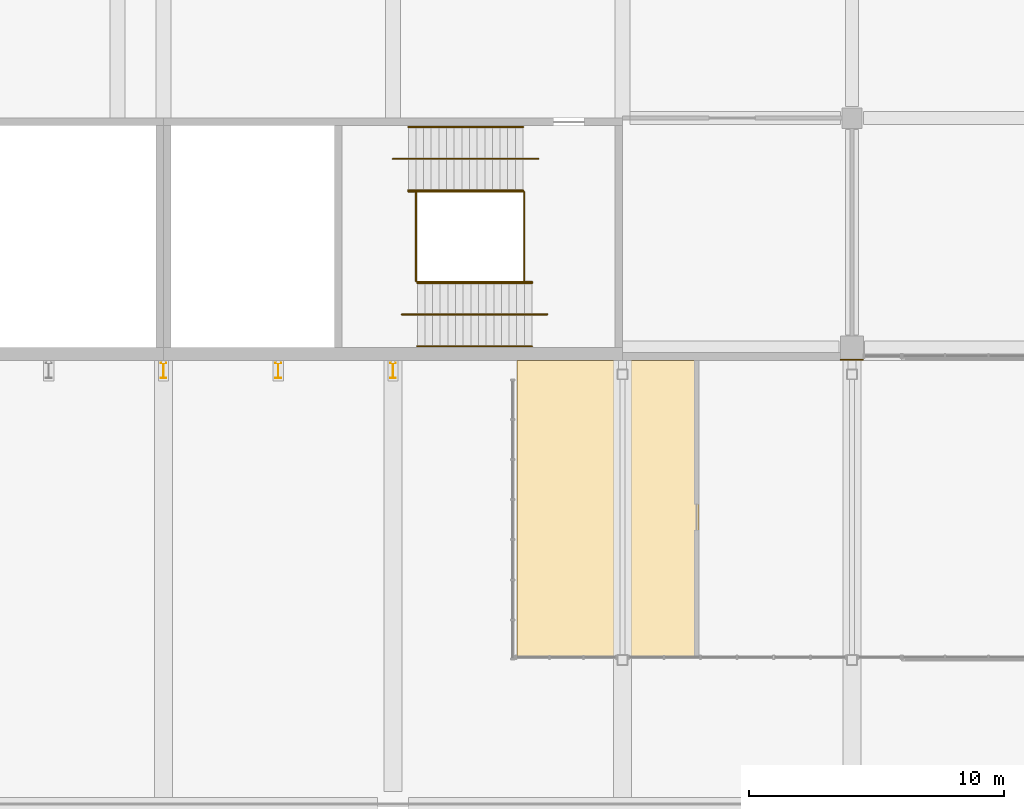
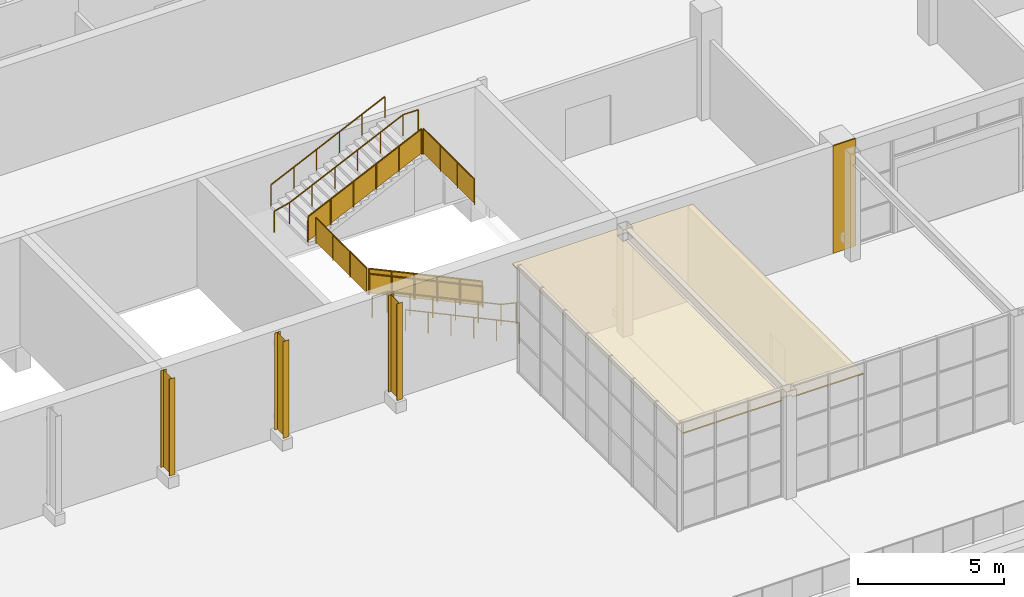
# One storey, part 143 of 168: 10 railings, 3 shading devices, 2 coverings.
"""IFC4 building model written with IfcOpenShell, lengths in metres."""

from ifc_helpers import new_model, si_unit, direction, frame, origin, origin_2d, place, context, subcontext, project, spatial, polyline, circle, i_section, outline, extrude, material, layer, layer_set, material_profile, profile_set, type_object, element, save


model = new_model("IFC4")

# Units and contexts
model_context = context("Model", 3, precision=1e-05, world=origin(), true_north=direction((0.0, 1.0)))
body_context = subcontext(model_context, "Body", "Model", "MODEL_VIEW")
ifc_project = project(units=[si_unit("LENGTHUNIT", "METRE"), si_unit("AREAUNIT", "SQUARE_METRE"), si_unit("VOLUMEUNIT", "CUBIC_METRE"), si_unit("PLANEANGLEUNIT", "RADIAN"), si_unit("MASSUNIT", "GRAM", prefix="KILO")], contexts=[model_context])

# Site, building, storey
site_placement = place(None, origin())
site = spatial("IfcSite", under=ifc_project, at=site_placement, CompositionType="ELEMENT")
building_placement = place(site_placement, origin())
building = spatial("IfcBuilding", under=site, at=building_placement, Name="Silverbay Arena", CompositionType="ELEMENT")
storey_placement = place(building_placement, frame((0.0, 0.0, 7.0)))
storey = spatial("IfcBuildingStorey", under=building, at=storey_placement, Name="L01", CompositionType="ELEMENT", Elevation=7.0)

# Coverings
ifc_material_1 = material(Name="Aluminium composite cladding", Category="aluminium")
ifc_layer_1 = layer(ifc_material_1, 0.050048828125)
ifc_layer_set_1 = layer_set([ifc_layer_1], Name="Aluminium composite cladding")
covering_type_1 = type_object("IfcCoveringType", Name="Column cladding 50", PredefinedType="CLADDING", material=ifc_layer_set_1)
covering_1_placement = place(storey_placement, origin())
element("IfcCovering", 1, at=covering_1_placement, inside=storey, type_object=covering_type_1, Name="South column cladding L01 1", PredefinedType="CLADDING", context=body_context, shape_type="SweptSolid", body=[
    extrude(outline(polyline([(125.550048828125, 17.5), (126.449951171875, 17.5), (126.449951171875, 17.550048828125), (125.550048828125, 17.550048828125), (125.550048828125, 17.5)])), origin(), (0.0, 0.0, 1.0), 4.5),
])
ifc_material_2 = material(Name="Fire-resisting board ceiling")
ifc_layer_2 = layer(ifc_material_2, 0.050048828125)
ifc_layer_set_2 = layer_set([ifc_layer_2], Name="Fire-resisting board ceiling")
covering_type_2 = type_object("IfcCoveringType", Name="Fire-resisting ceiling EI 120", PredefinedType="CEILING", material=ifc_layer_set_2)
covering_2_placement = place(storey_placement, frame((0.0, 0.0, 3.98291015625)))
element("IfcCovering", 2, at=covering_2_placement, inside=storey, type_object=covering_type_2, Name="Staff room ceiling", PredefinedType="CEILING", context=body_context, shape_type="SweptSolid", body=[
    extrude(outline(polyline([(116.800048828125, 5.81005859375), (116.800048828125, 5.949951171875), (117.199951171875, 5.949951171875), (117.199951171875, 5.81005859375), (120.0, 5.81005859375), (120.0, 17.5), (112.860107421875, 17.5), (112.860107421875, 5.81005859375), (116.800048828125, 5.81005859375)]), holes=[polyline([(117.199951171875, 17.14990234375), (117.199951171875, 16.75), (116.800048828125, 16.75), (116.800048828125, 17.14990234375), (117.199951171875, 17.14990234375)])]), origin(), (0.0, 0.0, 1.0), 0.050048828125),
])

# Railings
ifc_material_3 = material(Name="Stainless steel", Category="steel")
railing_type_1 = type_object("IfcRailingType", Name="Stair guard 1100", PredefinedType="GUARDRAIL", material=ifc_material_3)
railing_1_placement = place(storey_placement, frame((113.453369140625, 20.574951171875, 0.140625)))
element("IfcRailing", 3, at=railing_1_placement, inside=storey, type_object=railing_type_1, Name="Stair ST-S2 L01 to L02 flight 1 guard left", PredefinedType="GUARDRAIL", context=body_context, shape_type="SweptSolid", body=[
    extrude(circle(Radius=0.02392578125, at=origin_2d()), frame((0.0, 0.0, 1.076171875), z_axis=(-0.905458935959, 0.0, 0.424433876231), x_axis=(0.0, -1.0, 0.0)), (0.0, 0.0, 1.0), 4.969970703125),
    extrude(outline(polyline([(-0.008056640625, 0.046142578125), (0.907958984375, 0.4755859375), (0.907958984375, 1.478515625), (-0.008056640625, 1.04931640625), (-0.008056640625, 0.046142578125)])), frame((0.0, -0.0029296875, 0.0), z_axis=(0.0, 1.0, 0.0), x_axis=(-1.0, 0.0, 0.0)), (0.0, 0.0, 1.0), 0.006103515625),
    extrude(outline(polyline([(-0.008056640625, 0.468017578125), (0.907958984375, 0.8974609375), (0.907958984375, 1.900390625), (-0.008056640625, 1.47119140625), (-0.008056640625, 0.468017578125)])), frame((-0.89990234375, -0.0029296875, 0.0), z_axis=(0.0, 1.0, 0.0), x_axis=(-1.0, 0.0, 0.0)), (0.0, 0.0, 1.0), 0.006103515625),
    extrude(outline(polyline([(-0.008056640625, 0.889892578125), (0.907958984375, 1.3193359375), (0.907958984375, 2.322265625), (-0.008056640625, 1.89306640625), (-0.008056640625, 0.889892578125)])), frame((-1.800048828125, -0.0029296875, 0.0), z_axis=(0.0, 1.0, 0.0), x_axis=(-1.0, 0.0, 0.0)), (0.0, 0.0, 1.0), 0.006103515625),
    extrude(outline(polyline([(-0.008056640625, 1.311767578125), (0.907958984375, 1.7412109375), (0.907958984375, 2.744140625), (-0.008056640625, 2.31494140625), (-0.008056640625, 1.311767578125)])), frame((-2.699951171875, -0.0029296875, 0.0), z_axis=(0.0, 1.0, 0.0), x_axis=(-1.0, 0.0, 0.0)), (0.0, 0.0, 1.0), 0.006103515625),
    extrude(outline(polyline([(-0.008056640625, 1.733642578125), (0.907958984375, 2.1630859375), (0.907958984375, 3.166015625), (-0.008056640625, 2.73681640625), (-0.008056640625, 1.733642578125)])), frame((-3.60009765625, -0.0029296875, 0.0), z_axis=(0.0, 1.0, 0.0), x_axis=(-1.0, 0.0, 0.0)), (0.0, 0.0, 1.0), 0.006103515625),
    extrude(circle(Radius=0.02099609375, at=origin_2d()), origin(), (0.0, 0.0, 1.0), 1.052001953125),
    extrude(circle(Radius=0.02099609375, at=origin_2d()), frame((-0.89990234375, 0.0, 0.421875)), (0.0, 0.0, 1.0), 1.052001953125),
    extrude(circle(Radius=0.02099609375, at=origin_2d()), frame((-1.800048828125, 0.0, 0.84375)), (0.0, 0.0, 1.0), 1.052001953125),
    extrude(circle(Radius=0.02099609375, at=origin_2d()), frame((-2.699951171875, 0.0, 1.265625)), (0.0, 0.0, 1.0), 1.052001953125),
    extrude(circle(Radius=0.02099609375, at=origin_2d()), frame((-3.60009765625, 0.0, 1.6875)), (0.0, 0.0, 1.0), 1.052001953125),
    extrude(circle(Radius=0.02099609375, at=origin_2d()), frame((-4.5, 0.0, 2.109375)), (0.0, 0.0, 1.0), 1.052001953125),
])
railing_2_placement = place(storey_placement, frame((108.60009765625, 24.125, 2.390625)))
element("IfcRailing", 4, at=railing_2_placement, inside=storey, type_object=railing_type_1, Name="Stair ST-S2 L01 to L02 flight 2 guard right", PredefinedType="GUARDRAIL", context=body_context, shape_type="SweptSolid", body=[
    extrude(circle(Radius=0.02392578125, at=origin_2d()), frame((0.0, 0.0, 1.076171875), z_axis=(0.905458935959, 0.0, 0.424433876231), x_axis=(0.0, 1.0, 0.0)), (0.0, 0.0, 1.0), 4.969970703125),
    extrude(outline(polyline([(-0.008056640625, 0.046142578125), (0.907958984375, 0.4755859375), (0.907958984375, 1.478515625), (-0.008056640625, 1.04931640625), (-0.008056640625, 0.046142578125)])), frame((0.0, 0.0029296875, 0.0), z_axis=(0.0, -1.0, 0.0), x_axis=(1.0, 0.0, 0.0)), (0.0, 0.0, 1.0), 0.006103515625),
    extrude(outline(polyline([(-0.008056640625, 0.468017578125), (0.907958984375, 0.8974609375), (0.907958984375, 1.900390625), (-0.008056640625, 1.47119140625), (-0.008056640625, 0.468017578125)])), frame((0.89990234375, 0.0029296875, 0.0), z_axis=(0.0, -1.0, 0.0), x_axis=(1.0, 0.0, 0.0)), (0.0, 0.0, 1.0), 0.006103515625),
    extrude(outline(polyline([(-0.008056640625, 0.889892578125), (0.907958984375, 1.3193359375), (0.907958984375, 2.322265625), (-0.008056640625, 1.89306640625), (-0.008056640625, 0.889892578125)])), frame((1.800048828125, 0.0029296875, 0.0), z_axis=(0.0, -1.0, 0.0), x_axis=(1.0, 0.0, 0.0)), (0.0, 0.0, 1.0), 0.006103515625),
    extrude(outline(polyline([(-0.008056640625, 1.311767578125), (0.907958984375, 1.7412109375), (0.907958984375, 2.744140625), (-0.008056640625, 2.31494140625), (-0.008056640625, 1.311767578125)])), frame((2.699951171875, 0.0029296875, 0.0), z_axis=(0.0, -1.0, 0.0), x_axis=(1.0, 0.0, 0.0)), (0.0, 0.0, 1.0), 0.006103515625),
    extrude(outline(polyline([(-0.008056640625, 1.733642578125), (0.907958984375, 2.1630859375), (0.907958984375, 3.166015625), (-0.008056640625, 2.73681640625), (-0.008056640625, 1.733642578125)])), frame((3.60009765625, 0.0029296875, 0.0), z_axis=(0.0, -1.0, 0.0), x_axis=(1.0, 0.0, 0.0)), (0.0, 0.0, 1.0), 0.006103515625),
    extrude(circle(Radius=0.02099609375, at=origin_2d()), origin(), (0.0, 0.0, 1.0), 1.052001953125),
    extrude(circle(Radius=0.02099609375, at=origin_2d()), frame((0.89990234375, 0.0, 0.421875)), (0.0, 0.0, 1.0), 1.052001953125),
    extrude(circle(Radius=0.02099609375, at=origin_2d()), frame((1.800048828125, 0.0, 0.84375)), (0.0, 0.0, 1.0), 1.052001953125),
    extrude(circle(Radius=0.02099609375, at=origin_2d()), frame((2.699951171875, 0.0, 1.265625)), (0.0, 0.0, 1.0), 1.052001953125),
    extrude(circle(Radius=0.02099609375, at=origin_2d()), frame((3.60009765625, 0.0, 1.6875)), (0.0, 0.0, 1.0), 1.052001953125),
    extrude(circle(Radius=0.02099609375, at=origin_2d()), frame((4.5, 0.0, 2.109375)), (0.0, 0.0, 1.0), 1.052001953125),
])
for number, where, name in (
    (5, (108.9033203125, 24.10009765625, 2.25), "Stair ST-S2 L01 to L02 landing 1 guard"),
    (6, (113.14990234375, 24.10009765625, 4.5), "Stair ST-S2 L01 to L02 landing 2 guard"),
):
    element("IfcRailing", number, at=place(storey_placement, frame(where)), inside=storey, type_object=railing_type_1, Name=name, PredefinedType="GUARDRAIL", context=body_context, shape_type="SweptSolid", body=[
        extrude(circle(Radius=0.02392578125, at=origin_2d()), frame((0.0, 0.0, 1.076171875), z_axis=(0.0, -1.0, 0.0), x_axis=(1.0, 0.0, 0.0)), (0.0, 0.0, 1.0), 3.5),
        extrude(outline(polyline([(-0.008056640625, 0.050048828125), (1.174560546875, 0.050048828125), (1.174560546875, 1.052978515625), (-0.008056640625, 1.052978515625), (-0.008056640625, 0.050048828125)])), frame((0.0029296875, 0.0, 0.0), z_axis=(-1.0, 0.0, 0.0), x_axis=(0.0, -1.0, 0.0)), (0.0, 0.0, 1.0), 0.006103515625),
        extrude(outline(polyline([(-0.008056640625, 0.050048828125), (1.174560546875, 0.050048828125), (1.174560546875, 1.052978515625), (-0.008056640625, 1.052978515625), (-0.008056640625, 0.050048828125)])), frame((0.0029296875, -1.166748046875, 0.0), z_axis=(-1.0, 0.0, 0.0), x_axis=(0.0, -1.0, 0.0)), (0.0, 0.0, 1.0), 0.006103515625),
        extrude(outline(polyline([(-0.008056640625, 0.050048828125), (1.174560546875, 0.050048828125), (1.174560546875, 1.052978515625), (-0.008056640625, 1.052978515625), (-0.008056640625, 0.050048828125)])), frame((0.0029296875, -2.333251953125, 0.0), z_axis=(-1.0, 0.0, 0.0), x_axis=(0.0, -1.0, 0.0)), (0.0, 0.0, 1.0), 0.006103515625),
        extrude(circle(Radius=0.02099609375, at=origin_2d()), origin(), (0.0, 0.0, 1.0), 1.052001953125),
        extrude(circle(Radius=0.02099609375, at=origin_2d()), frame((0.0, -1.166748046875, 0.0)), (0.0, 0.0, 1.0), 1.052001953125),
        extrude(circle(Radius=0.02099609375, at=origin_2d()), frame((0.0, -2.333251953125, 0.0)), (0.0, 0.0, 1.0), 1.052001953125),
        extrude(circle(Radius=0.02099609375, at=origin_2d()), frame((0.0, -3.5, 0.0)), (0.0, 0.0, 1.0), 1.052001953125),
    ])
ifc_material_4 = material(Name="Stainless steel", Category="steel")
railing_type_2 = type_object("IfcRailingType", Name="Stair handrail 900", PredefinedType="HANDRAIL", material=ifc_material_4)
for number, where, name in (
    (7, (113.453369140625, 20.535888671875, 0.140625), "Stair ST-S2 L01 to L02 flight 1 handrail left"),
    (8, (113.453369140625, 18.050048828125, 0.140625), "Stair ST-S2 L01 to L02 flight 1 handrail right"),
):
    element("IfcRailing", number, at=place(storey_placement, frame(where)), inside=storey, type_object=railing_type_2, Name=name, PredefinedType="HANDRAIL", context=body_context, shape_type="SweptSolid", body=[
        extrude(circle(Radius=0.02392578125, at=origin_2d()), frame((0.0, 0.0, 0.8759765625), z_axis=(-0.905458935959, 0.0, 0.424433876231), x_axis=(0.0, -1.0, 0.0)), (0.0, 0.0, 1.0), 4.969970703125),
        extrude(circle(Radius=0.02099609375, at=origin_2d()), origin(), (0.0, 0.0, 1.0), 0.851806640625),
        extrude(circle(Radius=0.02099609375, at=origin_2d()), frame((-0.89990234375, 0.0, 0.421875)), (0.0, 0.0, 1.0), 0.851806640625),
        extrude(circle(Radius=0.02099609375, at=origin_2d()), frame((-1.800048828125, 0.0, 0.84375)), (0.0, 0.0, 1.0), 0.851806640625),
        extrude(circle(Radius=0.02099609375, at=origin_2d()), frame((-2.699951171875, 0.0, 1.265625)), (0.0, 0.0, 1.0), 0.851806640625),
        extrude(circle(Radius=0.02099609375, at=origin_2d()), frame((-3.60009765625, 0.0, 1.6875)), (0.0, 0.0, 1.0), 0.851806640625),
        extrude(circle(Radius=0.02099609375, at=origin_2d()), frame((-4.5, 0.0, 2.109375)), (0.0, 0.0, 1.0), 0.851806640625),
    ])
railing_3_placement = place(storey_placement, frame((114.053466796875, 19.300048828125, 0.0)))
element("IfcRailing", 9, at=railing_3_placement, inside=storey, type_object=railing_type_2, Name="Stair ST-S2 L01 to L02 flight 1 central handrail", PredefinedType="HANDRAIL", context=body_context, shape_type="SweptSolid", body=[
    extrude(circle(Radius=0.02392578125, at=origin_2d()), frame((0.0, 0.0, 0.8759765625), z_axis=(-0.973624560196, 0.0, 0.228156121511), x_axis=(0.0, -1.0, 0.0)), (0.0, 0.0, 1.0), 0.616455078125),
    extrude(circle(Radius=0.02392578125, at=origin_2d()), frame((-0.60009765625, 0.0, 1.0166015625), z_axis=(-0.905458935959, 0.0, 0.424433876231), x_axis=(0.0, -1.0, 0.0)), (0.0, 0.0, 1.0), 4.969970703125),
    extrude(circle(Radius=0.02392578125, at=origin_2d()), frame((-5.10009765625, 0.0, 3.1259765625), z_axis=(-1.0, 0.0, 0.0), x_axis=(0.0, -1.0, 0.0)), (0.0, 0.0, 1.0), 0.599853515625),
    extrude(circle(Radius=0.02099609375, at=origin_2d()), origin(), (0.0, 0.0, 1.0), 0.851806640625),
    extrude(circle(Radius=0.02099609375, at=origin_2d()), frame((-0.60009765625, 0.0, 0.140625)), (0.0, 0.0, 1.0), 0.851806640625),
    extrude(circle(Radius=0.02099609375, at=origin_2d()), frame((-1.5, 0.0, 0.5625)), (0.0, 0.0, 1.0), 0.851806640625),
    extrude(circle(Radius=0.02099609375, at=origin_2d()), frame((-2.400146484375, 0.0, 0.984375)), (0.0, 0.0, 1.0), 0.851806640625),
    extrude(circle(Radius=0.02099609375, at=origin_2d()), frame((-3.300048828125, 0.0, 1.40625)), (0.0, 0.0, 1.0), 0.851806640625),
    extrude(circle(Radius=0.02099609375, at=origin_2d()), frame((-4.2001953125, 0.0, 1.828125)), (0.0, 0.0, 1.0), 0.851806640625),
    extrude(circle(Radius=0.02099609375, at=origin_2d()), frame((-5.10009765625, 0.0, 2.25)), (0.0, 0.0, 1.0), 0.851806640625),
    extrude(circle(Radius=0.02099609375, at=origin_2d()), frame((-5.699951171875, 0.0, 2.25)), (0.0, 0.0, 1.0), 0.851806640625),
])
for number, where, name in (
    (10, (108.60009765625, 26.64990234375, 2.390625), "Stair ST-S2 L01 to L02 flight 2 handrail left"),
    (11, (108.60009765625, 24.1640625, 2.390625), "Stair ST-S2 L01 to L02 flight 2 handrail right"),
):
    element("IfcRailing", number, at=place(storey_placement, frame(where)), inside=storey, type_object=railing_type_2, Name=name, PredefinedType="HANDRAIL", context=body_context, shape_type="SweptSolid", body=[
        extrude(circle(Radius=0.02392578125, at=origin_2d()), frame((0.0, 0.0, 0.8759765625), z_axis=(0.905458935959, 0.0, 0.424433876231), x_axis=(0.0, 1.0, 0.0)), (0.0, 0.0, 1.0), 4.969970703125),
        extrude(circle(Radius=0.02099609375, at=origin_2d()), origin(), (0.0, 0.0, 1.0), 0.851806640625),
        extrude(circle(Radius=0.02099609375, at=origin_2d()), frame((0.89990234375, 0.0, 0.421875)), (0.0, 0.0, 1.0), 0.851806640625),
        extrude(circle(Radius=0.02099609375, at=origin_2d()), frame((1.800048828125, 0.0, 0.84375)), (0.0, 0.0, 1.0), 0.851806640625),
        extrude(circle(Radius=0.02099609375, at=origin_2d()), frame((2.699951171875, 0.0, 1.265625)), (0.0, 0.0, 1.0), 0.851806640625),
        extrude(circle(Radius=0.02099609375, at=origin_2d()), frame((3.60009765625, 0.0, 1.6875)), (0.0, 0.0, 1.0), 0.851806640625),
        extrude(circle(Radius=0.02099609375, at=origin_2d()), frame((4.5, 0.0, 2.109375)), (0.0, 0.0, 1.0), 0.851806640625),
    ])
railing_4_placement = place(storey_placement, frame((108.0, 25.39990234375, 2.25)))
element("IfcRailing", 12, at=railing_4_placement, inside=storey, type_object=railing_type_2, Name="Stair ST-S2 L01 to L02 flight 2 central handrail", PredefinedType="HANDRAIL", context=body_context, shape_type="SweptSolid", body=[
    extrude(circle(Radius=0.02392578125, at=origin_2d()), frame((0.0, 0.0, 0.8759765625), z_axis=(0.973624560196, 0.0, 0.228156121511), x_axis=(0.0, 1.0, 0.0)), (0.0, 0.0, 1.0), 0.616455078125),
    extrude(circle(Radius=0.02392578125, at=origin_2d()), frame((0.60009765625, 0.0, 1.0166015625), z_axis=(0.905458935959, 0.0, 0.424433876231), x_axis=(0.0, 1.0, 0.0)), (0.0, 0.0, 1.0), 4.969970703125),
    extrude(circle(Radius=0.02392578125, at=origin_2d()), frame((5.10009765625, 0.0, 3.1259765625), z_axis=(1.0, 0.0, 0.0), x_axis=(0.0, 1.0, 0.0)), (0.0, 0.0, 1.0), 0.599853515625),
    extrude(circle(Radius=0.02099609375, at=origin_2d()), origin(), (0.0, 0.0, 1.0), 0.851806640625),
    extrude(circle(Radius=0.02099609375, at=origin_2d()), frame((0.60009765625, 0.0, 0.140625)), (0.0, 0.0, 1.0), 0.851806640625),
    extrude(circle(Radius=0.02099609375, at=origin_2d()), frame((1.5, 0.0, 0.5625)), (0.0, 0.0, 1.0), 0.851806640625),
    extrude(circle(Radius=0.02099609375, at=origin_2d()), frame((2.400146484375, 0.0, 0.984375)), (0.0, 0.0, 1.0), 0.851806640625),
    extrude(circle(Radius=0.02099609375, at=origin_2d()), frame((3.300048828125, 0.0, 1.40625)), (0.0, 0.0, 1.0), 0.851806640625),
    extrude(circle(Radius=0.02099609375, at=origin_2d()), frame((4.2001953125, 0.0, 1.828125)), (0.0, 0.0, 1.0), 0.851806640625),
    extrude(circle(Radius=0.02099609375, at=origin_2d()), frame((5.10009765625, 0.0, 2.25)), (0.0, 0.0, 1.0), 0.851806640625),
    extrude(circle(Radius=0.02099609375, at=origin_2d()), frame((5.699951171875, 0.0, 2.25)), (0.0, 0.0, 1.0), 0.851806640625),
])

# Shading devices
ifc_material_5 = material(Name="Steel S355", Category="steel")
ifc_material_profile = material_profile(ifc_material_5, i_section(OverallWidth=0.2275390625, OverallDepth=0.6025390625, WebThickness=0.010498046875, FlangeThickness=0.014892578125, at=origin_2d()), Name="UB 610x229x101")
ifc_profile_set = profile_set([ifc_material_profile], Name="Steel S355")
shading_device_type = type_object("IfcShadingDeviceType", Name="Steel fin UB 610x229x101", PredefinedType="USERDEFINED", material=ifc_profile_set)
for number, where, z_axis, x_axis, name in (
    (13, (99.0, 17.0986328125, 0.449951171875), (0.0, 0.0, 1.0), (1.0, 0.0, 0.0), "Steel fin S L01 10"),
    (14, (103.5, 17.0986328125, 0.449951171875), (0.0, 0.0, 1.0), (1.0, 0.0, 0.0), "Steel fin S L01 11"),
    (15, (108.0, 17.0986328125, 0.449951171875), (0.0, 0.0, 1.0), (1.0, 0.0, 0.0), "Steel fin S L01 12"),
):
    element("IfcShadingDevice", number, at=place(storey_placement, frame(where, z_axis=z_axis, x_axis=x_axis)), inside=storey, type_object=shading_device_type, Name=name, ObjectType="FIN", PredefinedType="USERDEFINED", context=body_context, shape_type="SweptSolid", body=[
        extrude(i_section(OverallWidth=0.2275390625, OverallDepth=0.6025390625, WebThickness=0.010498046875, FlangeThickness=0.014892578125, at=origin_2d()), origin(), (0.0, 0.0, 1.0), 4.050048828125),
    ])

save(model, "model.ifc")
